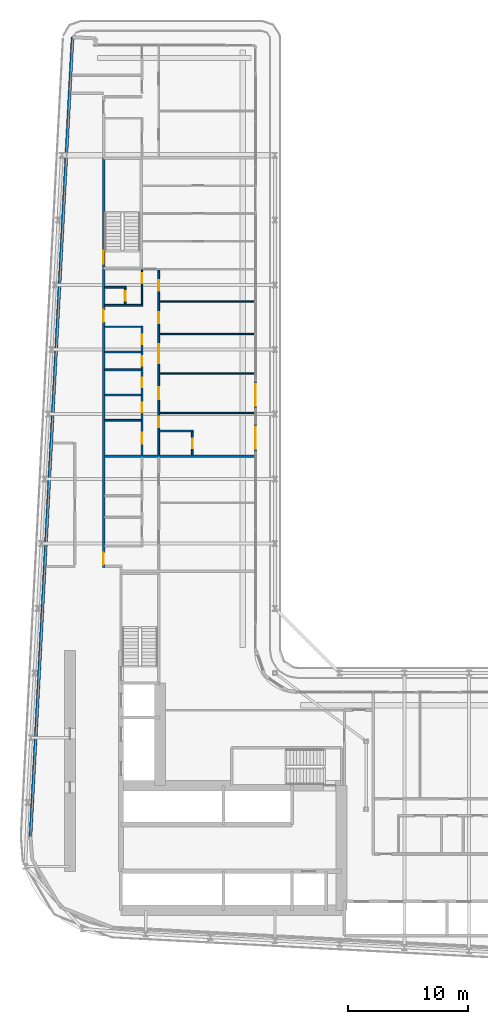
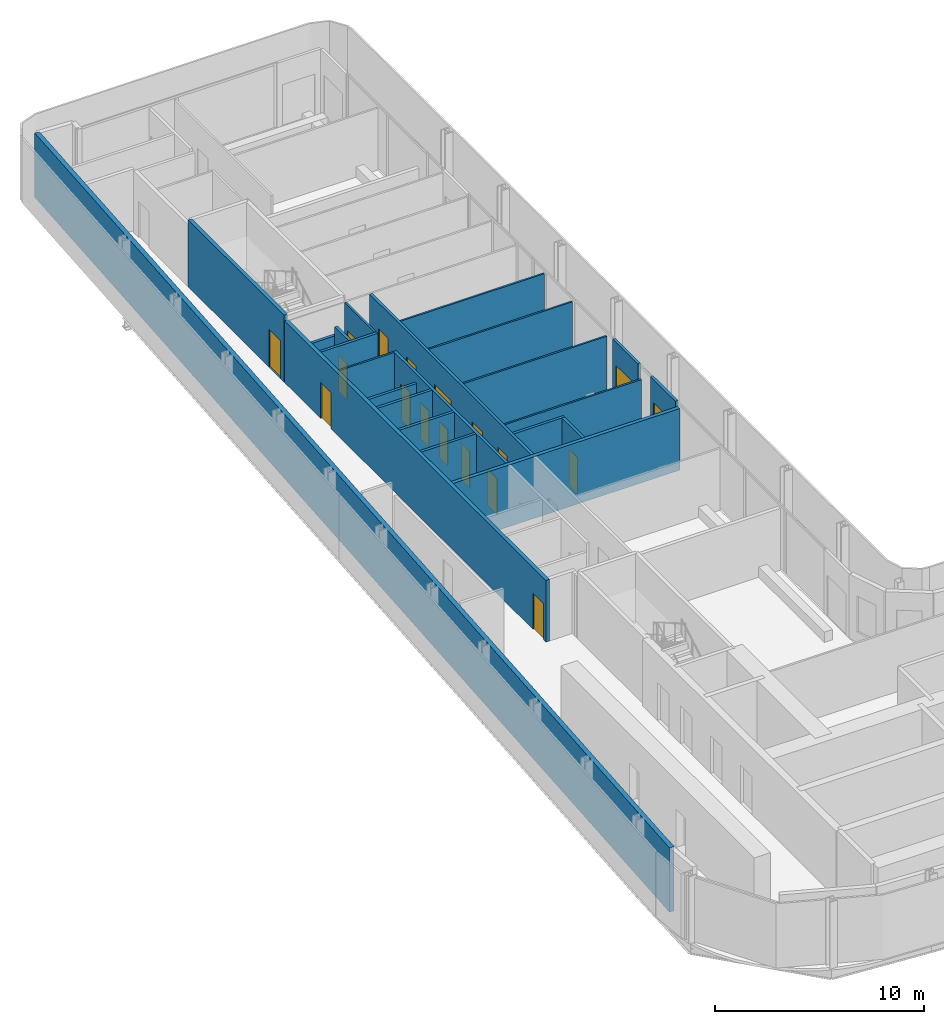
# One storey, part 17 of 28: 23 walls, 18 doors, 18 openings.
"""IFC4 building model written with IfcOpenShell, lengths in metres."""

from ifc_helpers import new_model, si_unit, direction, frame, frame_2d, origin, place, context, subcontext, project, spatial, rectangle, extrude, source, transform, mapped, material, layer, layer_set, type_object, element, fill, save


model = new_model("IFC4")

# Units and contexts
model_context = context("Model", 3, precision=1e-05, world=origin(), true_north=direction((0.0, 1.0)))
body_context = subcontext(model_context, "Body", "Model", "MODEL_VIEW")
ifc_project = project(units=[si_unit("LENGTHUNIT", "METRE"), si_unit("AREAUNIT", "SQUARE_METRE"), si_unit("VOLUMEUNIT", "CUBIC_METRE"), si_unit("PLANEANGLEUNIT", "RADIAN"), si_unit("MASSUNIT", "GRAM", prefix="KILO")], contexts=[model_context])

# Site, building, storey
site_placement = place(None, origin())
site = spatial("IfcSite", under=ifc_project, at=site_placement, CompositionType="ELEMENT")
building_placement = place(site_placement, origin())
building = spatial("IfcBuilding", under=site, at=building_placement, Name="Kheshtan School and Residences Tower", CompositionType="ELEMENT")
storey_placement = place(building_placement, frame((0.0, 0.0, 125.300048828125)))
storey = spatial("IfcBuildingStorey", under=building, at=storey_placement, Name="L29", CompositionType="ELEMENT", Elevation=125.300048828125)

# Wall, openings, doors
ifc_material_1 = material(Name="Gypsum board on steel studs with fire boards", Category="steel")
ifc_layer_1 = layer(ifc_material_1, 0.199951171875)
ifc_layer_set_1 = layer_set([ifc_layer_1], Name="Corridor wall 200")
wall_type_1 = type_object("IfcWallType", Name="Corridor wall 200", PredefinedType="PARTITIONING", material=ifc_layer_set_1)
wall_1_placement = place(storey_placement, frame((33.300048828125, 54.39990234375, 0.0), z_axis=(0.0, 0.0, 1.0), x_axis=(0.0, 1.0, 0.0)))
wall_1 = element("IfcWall", 1, at=wall_1_placement, inside=storey, type_object=wall_type_1, Name="Partition L29-003", PredefinedType="PARTITIONING", context=body_context, shape_type="SweptSolid", body=[
    extrude(rectangle(XDim=24.9501953125, YDim=0.199951171875, at=frame_2d((12.47509765625, 0.0))), origin(), (0.0, 0.0, 1.0), 3.599853515625),
])
opening_1_placement = place(wall_1_placement, frame((0.25, 0.0, 0.0)))
opening_1 = element("IfcOpeningElement", 2, at=opening_1_placement, cuts=wall_1, Name="Opening D29-035", PredefinedType="OPENING", context=body_context, shape_type="SweptSolid", body=[
    extrude(rectangle(XDim=1.0, YDim=2.10009765625, at=frame_2d((0.5, 1.050048828125))), frame((0.0, 0.10986328125, 0.0), z_axis=(0.0, -1.0, 0.0), x_axis=(1.0, 0.0, 0.0)), (0.0, 0.0, 1.0), 0.219970703125),
])
opening_2_placement = place(wall_1_placement, frame((20.5, 0.0, 0.0)))
opening_2 = element("IfcOpeningElement", 3, at=opening_2_placement, cuts=wall_1, Name="Opening D29-045", PredefinedType="OPENING", context=body_context, shape_type="SweptSolid", body=[
    extrude(rectangle(XDim=1.0, YDim=2.10009765625, at=frame_2d((0.5, 1.050048828125))), frame((0.0, 0.10986328125, 0.0), z_axis=(0.0, -1.0, 0.0), x_axis=(1.0, 0.0, 0.0)), (0.0, 0.0, 1.0), 0.219970703125),
])
ifc_material_2 = material(Name="Steel-framed fire-resisting door leaf", Category="steel")
door_type_1 = type_object("IfcDoorType", Name="Fire door FD30S 1000 x 2100", OperationType="SINGLE_SWING_LEFT", PredefinedType="DOOR", material=ifc_material_2)
shared_shape_1 = source(origin(), body_context, "Body", "SweptSolid", [
    extrude(rectangle(XDim=1.0, YDim=2.10009765625, at=frame_2d((0.5, 1.050048828125))), frame((0.0, 0.02490234375, 0.0), z_axis=(0.0, -1.0, 0.0), x_axis=(1.0, 0.0, 0.0)), (0.0, 0.0, 1.0), 0.050048828125),
])
door_1_placement = place(opening_1_placement, origin())
door_1 = element("IfcDoor", 4, at=door_1_placement, inside=storey, type_object=door_type_1, Name="Door D29-035", OperationType="SINGLE_SWING_RIGHT", OverallHeight=2.10009765625, OverallWidth=1.0, PredefinedType="DOOR", context=body_context, shape_type="MappedRepresentation", body=[
    mapped(shared_shape_1, transform((0.0, 0.0, 0.0), x_axis=(1.0, 0.0, 0.0), y_axis=(0.0, 1.0, 0.0), z_axis=(0.0, 0.0, 1.0), scale=1.0)),
])
fill(opening_1, door_1)
door_2_placement = place(opening_2_placement, origin())
door_2 = element("IfcDoor", 5, at=door_2_placement, inside=storey, type_object=door_type_1, Name="Door D29-045", OperationType="SINGLE_SWING_RIGHT", OverallHeight=2.10009765625, OverallWidth=1.0, PredefinedType="DOOR", context=body_context, shape_type="MappedRepresentation", body=[
    mapped(shared_shape_1, transform((0.0, 0.0, 0.0), x_axis=(1.0, 0.0, 0.0), y_axis=(0.0, 1.0, 0.0), z_axis=(0.0, 0.0, 1.0), scale=1.0)),
])
fill(opening_2, door_2)

# Wall
ifc_material_3 = material(Name="Concrete C40/50 with ceramic cladding and mineral wool insulation", Category="concrete")
ifc_layer_2 = layer(ifc_material_3, 0.25)
ifc_layer_set_2 = layer_set([ifc_layer_2], Name="External wall 250 ceramic clad")
wall_type_2 = type_object("IfcWallType", Name="External wall 250 ceramic clad", PredefinedType="SOLIDWALL", material=ifc_layer_set_2)
wall_2_placement = place(storey_placement, frame((27.195068359375, 31.968994140625, 0.0), z_axis=(0.0, 0.0, 1.0), x_axis=(0.052554995867, 0.998618031286, 0.0)))
element("IfcWall", 6, at=wall_2_placement, inside=storey, type_object=wall_type_2, Name="External wall L29 4", PredefinedType="SOLIDWALL", context=body_context, shape_type="SweptSolid", body=[
    extrude(rectangle(XDim=66.787353515625, YDim=0.25, at=frame_2d((33.3935546875, 0.0))), origin(), (0.0, 0.0, 1.0), 3.75),
])

# Wall, opening, door
ifc_material_4 = material(Name="Aluminium frame wall with insulated infill", Category="aluminium")
ifc_layer_3 = layer(ifc_material_4, 0.14990234375)
ifc_layer_set_3 = layer_set([ifc_layer_3], Name="Glazing frame wall 150")
wall_type_3 = type_object("IfcWallType", Name="Glazing frame wall 150", PredefinedType="SOLIDWALL", material=ifc_layer_set_3)
wall_3_placement = place(storey_placement, frame((45.97509765625, 70.01806640625, 0.0), z_axis=(0.0, 0.0, 1.0), x_axis=(0.0, -1.0, 0.0)))
wall_3 = element("IfcWall", 7, at=wall_3_placement, inside=storey, type_object=wall_type_3, Name="Balcony door wall L29 8.3", PredefinedType="SOLIDWALL", context=body_context, shape_type="SweptSolid", body=[
    extrude(rectangle(XDim=2.400146484375, YDim=0.14990234375, at=frame_2d((1.2001953125, 0.0))), origin(), (0.0, 0.0, 1.0), 3.75),
])
opening_3_placement = place(wall_3_placement, frame((0.300048828125, 0.0, 0.0)))
opening_3 = element("IfcOpeningElement", 8, at=opening_3_placement, cuts=wall_3, Name="Opening BD", PredefinedType="OPENING", context=body_context, shape_type="SweptSolid", body=[
    extrude(rectangle(XDim=1.800048828125, YDim=2.39990234375, at=frame_2d((0.89990234375, 1.199951171875))), frame((0.0, 0.0849609375, 0.0), z_axis=(0.0, -1.0, 0.0), x_axis=(1.0, 0.0, 0.0)), (0.0, 0.0, 1.0), 0.169921875),
])
ifc_material_5 = material(Name="Clear low-e glass in thermally broken aluminium frame", Category="aluminium")
door_type_2 = type_object("IfcDoorType", Name="Balcony sliding door", OperationType="SLIDING_TO_LEFT", PredefinedType="DOOR", material=ifc_material_5)
shared_shape_2 = source(origin(), body_context, "Body", "SweptSolid", [
    extrude(rectangle(XDim=1.800048828125, YDim=2.39990234375, at=frame_2d((0.89990234375, 1.199951171875))), frame((0.0, 0.02490234375, 0.0), z_axis=(0.0, -1.0, 0.0), x_axis=(1.0, 0.0, 0.0)), (0.0, 0.0, 1.0), 0.050048828125),
])
door_3_placement = place(opening_3_placement, origin())
door_3 = element("IfcDoor", 9, at=door_3_placement, inside=storey, type_object=door_type_2, Name="Balcony door L29 8.3", OperationType="SLIDING_TO_LEFT", OverallHeight=2.39990234375, OverallWidth=1.800048828125, PredefinedType="DOOR", context=body_context, shape_type="MappedRepresentation", body=[
    mapped(shared_shape_2, transform((0.0, 0.0, 0.0), x_axis=(1.0, 0.0, 0.0), y_axis=(0.0, 1.0, 0.0), z_axis=(0.0, 0.0, 1.0), scale=1.0)),
])
fill(opening_3, door_3)

wall_4_placement = place(storey_placement, frame((45.97509765625, 66.41796875, 0.0), z_axis=(0.0, 0.0, 1.0), x_axis=(0.0, -1.0, 0.0)))
wall_4 = element("IfcWall", 10, at=wall_4_placement, inside=storey, type_object=wall_type_3, Name="Balcony door wall L29 8.4", PredefinedType="SOLIDWALL", context=body_context, shape_type="SweptSolid", body=[
    extrude(rectangle(XDim=2.39990234375, YDim=0.14990234375, at=frame_2d((1.199951171875, 0.0))), origin(), (0.0, 0.0, 1.0), 3.75),
])
opening_4_placement = place(wall_4_placement, frame((0.300048828125, 0.0, 0.0)))
opening_4 = element("IfcOpeningElement", 11, at=opening_4_placement, cuts=wall_4, Name="Opening BD", PredefinedType="OPENING", context=body_context, shape_type="SweptSolid", body=[
    extrude(rectangle(XDim=1.800048828125, YDim=2.39990234375, at=frame_2d((0.89990234375, 1.199951171875))), frame((0.0, 0.0849609375, 0.0), z_axis=(0.0, -1.0, 0.0), x_axis=(1.0, 0.0, 0.0)), (0.0, 0.0, 1.0), 0.169921875),
])
door_4_placement = place(opening_4_placement, origin())
door_4 = element("IfcDoor", 12, at=door_4_placement, inside=storey, type_object=door_type_2, Name="Balcony door L29 8.4", OperationType="SLIDING_TO_LEFT", OverallHeight=2.39990234375, OverallWidth=1.800048828125, PredefinedType="DOOR", context=body_context, shape_type="MappedRepresentation", body=[
    mapped(shared_shape_2, transform((0.0, 0.0, 0.0), x_axis=(1.0, 0.0, 0.0), y_axis=(0.0, 1.0, 0.0), z_axis=(0.0, 0.0, 1.0), scale=1.0)),
])
fill(opening_4, door_4)

# Wall
ifc_material_6 = material(Name="Gypsum board on steel studs", Category="steel")
ifc_layer_4 = layer(ifc_material_6, 0.10009765625)
ifc_layer_set_4 = layer_set([ifc_layer_4], Name="Gypsum partition 100")
wall_type_4 = type_object("IfcWallType", Name="Gypsum partition 100", PredefinedType="PARTITIONING", material=ifc_layer_set_4)
wall_5_placement = place(storey_placement, frame((33.39990234375, 74.5, 0.0), z_axis=(0.0, 0.0, 1.0), x_axis=(1.0, 0.0, 0.0)))
element("IfcWall", 13, at=wall_5_placement, inside=storey, type_object=wall_type_4, Name="Partition L29-014", PredefinedType="PARTITIONING", context=body_context, shape_type="SweptSolid", body=[
    extrude(rectangle(XDim=3.025146484375, YDim=0.10009765625, at=frame_2d((1.5126953125, 0.0))), origin(), (0.0, 0.0, 1.0), 3.599853515625),
])

# Wall, opening, door
wall_6_placement = place(storey_placement, frame((36.5, 76.375, 0.0), z_axis=(0.0, 0.0, 1.0), x_axis=(0.0, 1.0, 0.0)))
wall_6 = element("IfcWall", 14, at=wall_6_placement, inside=storey, type_object=wall_type_4, Name="Partition L29-026", PredefinedType="PARTITIONING", context=body_context, shape_type="SweptSolid", body=[
    extrude(rectangle(XDim=2.875, YDim=0.10009765625, at=frame_2d((1.4375, 0.0))), origin(), (0.0, 0.0, 1.0), 3.599853515625),
])
opening_5_placement = place(wall_6_placement, frame((1.77490234375, 0.0, 0.0)))
opening_5 = element("IfcOpeningElement", 15, at=opening_5_placement, cuts=wall_6, Name="Opening D29-048", PredefinedType="OPENING", context=body_context, shape_type="SweptSolid", body=[
    extrude(rectangle(XDim=0.800048828125, YDim=2.10009765625, at=frame_2d((0.39990234375, 1.050048828125))), frame((0.0, 0.06005859375, 0.0), z_axis=(0.0, -1.0, 0.0), x_axis=(1.0, 0.0, 0.0)), (0.0, 0.0, 1.0), 0.1201171875),
])
ifc_material_7 = material(Name="Veneered timber door leaf", Category="wood")
door_type_3 = type_object("IfcDoorType", Name="Door 800 x 2100", OperationType="SINGLE_SWING_LEFT", PredefinedType="DOOR", material=ifc_material_7)
shared_shape_3 = source(origin(), body_context, "Body", "SweptSolid", [
    extrude(rectangle(XDim=0.800048828125, YDim=2.10009765625, at=frame_2d((0.39990234375, 1.050048828125))), frame((0.0, 0.02490234375, 0.0), z_axis=(0.0, -1.0, 0.0), x_axis=(1.0, 0.0, 0.0)), (0.0, 0.0, 1.0), 0.050048828125),
])
door_5_placement = place(opening_5_placement, origin())
door_5 = element("IfcDoor", 16, at=door_5_placement, inside=storey, type_object=door_type_3, Name="Door D29-048", OperationType="SINGLE_SWING_RIGHT", OverallHeight=2.10009765625, OverallWidth=0.800048828125, PredefinedType="DOOR", context=body_context, shape_type="MappedRepresentation", body=[
    mapped(shared_shape_3, transform((0.0, 0.0, 0.0), x_axis=(1.0, 0.0, 0.0), y_axis=(0.0, 1.0, 0.0), z_axis=(0.0, 0.0, 1.0), scale=1.0)),
])
fill(opening_5, door_5)

# Walls
wall_7_placement = place(storey_placement, frame((37.97509765625, 67.300048828125, 0.0), z_axis=(0.0, 0.0, 1.0), x_axis=(1.0, 0.0, 0.0)))
element("IfcWall", 17, at=wall_7_placement, inside=storey, type_object=wall_type_4, Name="Partition L29-038", PredefinedType="PARTITIONING", context=body_context, shape_type="SweptSolid", body=[
    extrude(rectangle(XDim=7.9248046875, YDim=0.10009765625, at=frame_2d((3.96240234375, 0.0))), origin(), (0.0, 0.0, 1.0), 3.072021484375),
])
for number, where, z_axis, x_axis, name in (
    (18, (37.97509765625, 70.60009765625, 0.0), (0.0, 0.0, 1.0), (1.0, 0.0, 0.0), "Partition L29-039"),
    (19, (37.97509765625, 73.89990234375, 0.0), (0.0, 0.0, 1.0), (1.0, 0.0, 0.0), "Partition L29-040"),
    (20, (37.97509765625, 76.60009765625, 0.0), (0.0, 0.0, 1.0), (1.0, 0.0, 0.0), "Partition L29-041"),
):
    element("IfcWall", number, at=place(storey_placement, frame(where, z_axis=z_axis, x_axis=x_axis)), inside=storey, type_object=wall_type_4, Name=name, PredefinedType="PARTITIONING", context=body_context, shape_type="SweptSolid", body=[
        extrude(rectangle(XDim=7.9248046875, YDim=0.10009765625, at=frame_2d((3.96240234375, 0.0))), origin(), (0.0, 0.0, 1.0), 3.599853515625),
    ])

# Wall, opening, door
ifc_material_8 = material(Name="Concrete C40/50", Category="concrete")
ifc_layer_5 = layer(ifc_material_8, 0.199951171875)
ifc_layer_set_5 = layer_set([ifc_layer_5], Name="Stair enclosure wall 200 Concrete C40/50")
wall_type_5 = type_object("IfcWallType", Name="Stair enclosure wall 200 Concrete C40/50", PredefinedType="SHEAR", material=ifc_layer_set_5)
wall_8_placement = place(storey_placement, frame((33.300048828125, 79.39990234375, 0.0), z_axis=(0.0, 0.0, 1.0), x_axis=(0.0, 1.0, 0.0)))
wall_8 = element("IfcWall", 21, at=wall_8_placement, inside=storey, type_object=wall_type_5, Name="Stair enclosure wall ST3", PredefinedType="SHEAR", context=body_context, shape_type="SweptSolid", body=[
    extrude(rectangle(XDim=9.16015625, YDim=0.199951171875, at=frame_2d((4.580078125, 0.0))), origin(), (0.0, 0.0, 1.0), 3.89990234375),
])
opening_6_placement = place(wall_8_placement, frame((0.35009765625, 0.0, 0.0)))
opening_6 = element("IfcOpeningElement", 22, at=opening_6_placement, cuts=wall_8, Name="Opening ST3D", PredefinedType="OPENING", context=body_context, shape_type="SweptSolid", body=[
    extrude(rectangle(XDim=1.10009765625, YDim=2.199951171875, at=frame_2d((0.550048828125, 1.10009765625))), frame((0.0, 0.10986328125, 0.0), z_axis=(0.0, -1.0, 0.0), x_axis=(1.0, 0.0, 0.0)), (0.0, 0.0, 1.0), 0.219970703125),
])
ifc_material_9 = material(Name="Steel door leaf, galvanised", Category="steel")
door_type_4 = type_object("IfcDoorType", Name="Stair door 1100 steel 90 min", OperationType="SINGLE_SWING_LEFT", PredefinedType="DOOR", material=ifc_material_9)
shared_shape_4 = source(origin(), body_context, "Body", "SweptSolid", [
    extrude(rectangle(XDim=1.10009765625, YDim=2.199951171875, at=frame_2d((0.550048828125, 1.10009765625))), frame((0.0, 0.02490234375, 0.0), z_axis=(0.0, -1.0, 0.0), x_axis=(1.0, 0.0, 0.0)), (0.0, 0.0, 1.0), 0.050048828125),
])
door_6_placement = place(opening_6_placement, origin())
door_6 = element("IfcDoor", 23, at=door_6_placement, inside=storey, type_object=door_type_4, Name="Stair ST3 door", OperationType="SINGLE_SWING_RIGHT", OverallHeight=2.199951171875, OverallWidth=1.10009765625, PredefinedType="DOOR", context=body_context, shape_type="MappedRepresentation", body=[
    mapped(shared_shape_4, transform((0.0, 0.0, 0.0), x_axis=(1.0, 0.0, 0.0), y_axis=(0.0, 1.0, 0.0), z_axis=(0.0, 0.0, 1.0), scale=1.0)),
])
fill(opening_6, door_6)

# Walls
ifc_material_10 = material(Name="Twin gypsum board on steel studs with mineral wool", Category="steel")
ifc_layer_6 = layer(ifc_material_10, 0.199951171875)
ifc_layer_set_6 = layer_set([ifc_layer_6], Name="Unit demising wall 200")
wall_type_6 = type_object("IfcWallType", Name="Unit demising wall 200", PredefinedType="PARTITIONING", material=ifc_layer_set_6)
wall_9_placement = place(storey_placement, frame((33.39990234375, 63.699951171875, 0.0), z_axis=(0.0, 0.0, 1.0), x_axis=(1.0, 0.0, 0.0)))
element("IfcWall", 24, at=wall_9_placement, inside=storey, type_object=wall_type_6, Name="Partition L29-009", PredefinedType="PARTITIONING", context=body_context, shape_type="SweptSolid", body=[
    extrude(rectangle(XDim=12.5, YDim=0.199951171875, at=frame_2d((6.25, 0.0))), origin(), (0.0, 0.0, 1.0), 3.599853515625),
])
ifc_material_11 = material(Name="Moisture-resistant gypsum board on steel studs", Category="steel")
ifc_layer_7 = layer(ifc_material_11, 0.14990234375)
ifc_layer_set_7 = layer_set([ifc_layer_7], Name="Wet-room partition 150")
wall_type_7 = type_object("IfcWallType", Name="Wet-room partition 150", PredefinedType="PARTITIONING", material=ifc_layer_set_7)
for number, where, z_axis, x_axis, name in (
    (25, (33.39990234375, 66.699951171875, 0.0), (0.0, 0.0, 1.0), (1.0, 0.0, 0.0), "Partition L29-010"),
    (26, (33.39990234375, 68.800048828125, 0.0), (0.0, 0.0, 1.0), (1.0, 0.0, 0.0), "Partition L29-011"),
    (27, (33.39990234375, 70.89990234375, 0.0), (0.0, 0.0, 1.0), (1.0, 0.0, 0.0), "Partition L29-012"),
):
    element("IfcWall", number, at=place(storey_placement, frame(where, z_axis=z_axis, x_axis=x_axis)), inside=storey, type_object=wall_type_7, Name=name, PredefinedType="PARTITIONING", context=body_context, shape_type="SweptSolid", body=[
        extrude(rectangle(XDim=3.025146484375, YDim=0.14990234375, at=frame_2d((1.5126953125, 0.0))), origin(), (0.0, 0.0, 1.0), 3.599853515625),
    ])
wall_10_placement = place(storey_placement, frame((33.39990234375, 72.39990234375, 0.0), z_axis=(0.0, 0.0, 1.0), x_axis=(1.0, 0.0, 0.0)))
element("IfcWall", 28, at=wall_10_placement, inside=storey, type_object=wall_type_7, Name="Partition L29-013", PredefinedType="PARTITIONING", context=body_context, shape_type="SweptSolid", body=[
    extrude(rectangle(XDim=3.025146484375, YDim=0.14990234375, at=frame_2d((1.5126953125, 0.0))), origin(), (0.0, 0.0, 1.0), 3.072021484375),
])
wall_11_placement = place(storey_placement, frame((33.39990234375, 76.300048828125, 0.0), z_axis=(0.0, 0.0, 1.0), x_axis=(1.0, 0.0, 0.0)))
element("IfcWall", 29, at=wall_11_placement, inside=storey, type_object=wall_type_7, Name="Partition L29-015", PredefinedType="PARTITIONING", context=body_context, shape_type="SweptSolid", body=[
    extrude(rectangle(XDim=3.150146484375, YDim=0.14990234375, at=frame_2d((1.5751953125, 0.0))), origin(), (0.0, 0.0, 1.0), 3.599853515625),
])
wall_12_placement = place(storey_placement, frame((33.39990234375, 77.800048828125, 0.0), z_axis=(0.0, 0.0, 1.0), x_axis=(1.0, 0.0, 0.0)))
element("IfcWall", 30, at=wall_12_placement, inside=storey, type_object=wall_type_7, Name="Partition L29-016", PredefinedType="PARTITIONING", context=body_context, shape_type="SweptSolid", body=[
    extrude(rectangle(XDim=1.775146484375, YDim=0.14990234375, at=frame_2d((0.8876953125, 0.0))), origin(), (0.0, 0.0, 1.0), 3.072021484375),
])

# Wall, opening, door
wall_13_placement = place(storey_placement, frame((35.10009765625, 76.375, 0.0), z_axis=(0.0, 0.0, 1.0), x_axis=(0.0, 1.0, 0.0)))
wall_13 = element("IfcWall", 31, at=wall_13_placement, inside=storey, type_object=wall_type_7, Name="Partition L29-022", PredefinedType="PARTITIONING", context=body_context, shape_type="SweptSolid", body=[
    extrude(rectangle(XDim=1.35009765625, YDim=0.14990234375, at=frame_2d((0.675048828125, 0.0))), origin(), (0.0, 0.0, 1.0), 3.599853515625),
])
opening_7_placement = place(wall_13_placement, frame((0.27490234375, 0.0, 0.0)))
opening_7 = element("IfcOpeningElement", 32, at=opening_7_placement, cuts=wall_13, Name="Opening D29-049", PredefinedType="OPENING", context=body_context, shape_type="SweptSolid", body=[
    extrude(rectangle(XDim=0.800048828125, YDim=2.10009765625, at=frame_2d((0.39990234375, 1.050048828125))), frame((0.0, 0.0849609375, 0.0), z_axis=(0.0, -1.0, 0.0), x_axis=(1.0, 0.0, 0.0)), (0.0, 0.0, 1.0), 0.169921875),
])
door_7_placement = place(opening_7_placement, origin())
door_7 = element("IfcDoor", 33, at=door_7_placement, inside=storey, type_object=door_type_3, Name="Door D29-049", OperationType="SINGLE_SWING_LEFT", OverallHeight=2.10009765625, OverallWidth=0.800048828125, PredefinedType="DOOR", context=body_context, shape_type="MappedRepresentation", body=[
    mapped(shared_shape_3, transform((0.0, 0.0, 0.0), x_axis=(1.0, 0.0, 0.0), y_axis=(0.0, 1.0, 0.0), z_axis=(0.0, 0.0, 1.0), scale=1.0)),
])
fill(opening_7, door_7)

# Wall, openings, doors
wall_14_placement = place(storey_placement, frame((36.5, 63.800048828125, 0.0), z_axis=(0.0, 0.0, 1.0), x_axis=(0.0, 1.0, 0.0)))
wall_14 = element("IfcWall", 34, at=wall_14_placement, inside=storey, type_object=wall_type_7, Name="Partition L29-025", PredefinedType="PARTITIONING", context=body_context, shape_type="SweptSolid", body=[
    extrude(rectangle(XDim=10.75, YDim=0.14990234375, at=frame_2d((5.375, 0.0))), origin(), (0.0, 0.0, 1.0), 3.599853515625),
])
opening_8_placement = place(wall_14_placement, frame((3.550048828125, 0.0, 0.0)))
opening_8 = element("IfcOpeningElement", 35, at=opening_8_placement, cuts=wall_14, Name="Opening D29-039", PredefinedType="OPENING", context=body_context, shape_type="SweptSolid", body=[
    extrude(rectangle(XDim=0.800048828125, YDim=2.10009765625, at=frame_2d((0.39990234375, 1.050048828125))), frame((0.0, 0.0849609375, 0.0), z_axis=(0.0, -1.0, 0.0), x_axis=(1.0, 0.0, 0.0)), (0.0, 0.0, 1.0), 0.169921875),
])
opening_9_placement = place(wall_14_placement, frame((5.64990234375, 0.0, 0.0)))
opening_9 = element("IfcOpeningElement", 36, at=opening_9_placement, cuts=wall_14, Name="Opening D29-040", PredefinedType="OPENING", context=body_context, shape_type="SweptSolid", body=[
    extrude(rectangle(XDim=0.800048828125, YDim=2.10009765625, at=frame_2d((0.39990234375, 1.050048828125))), frame((0.0, 0.0849609375, 0.0), z_axis=(0.0, -1.0, 0.0), x_axis=(1.0, 0.0, 0.0)), (0.0, 0.0, 1.0), 0.169921875),
])
opening_10_placement = place(wall_14_placement, frame((9.25, 0.0, 0.0)))
opening_10 = element("IfcOpeningElement", 37, at=opening_10_placement, cuts=wall_14, Name="Opening D29-043", PredefinedType="OPENING", context=body_context, shape_type="SweptSolid", body=[
    extrude(rectangle(XDim=0.800048828125, YDim=2.10009765625, at=frame_2d((0.39990234375, 1.050048828125))), frame((0.0, 0.0849609375, 0.0), z_axis=(0.0, -1.0, 0.0), x_axis=(1.0, 0.0, 0.0)), (0.0, 0.0, 1.0), 0.169921875),
])
opening_11_placement = place(wall_14_placement, frame((0.949951171875, 0.0, 0.0)))
opening_11 = element("IfcOpeningElement", 38, at=opening_11_placement, cuts=wall_14, Name="Opening D29-046", PredefinedType="OPENING", context=body_context, shape_type="SweptSolid", body=[
    extrude(rectangle(XDim=0.89990234375, YDim=2.10009765625, at=frame_2d((0.449951171875, 1.050048828125))), frame((0.0, 0.0849609375, 0.0), z_axis=(0.0, -1.0, 0.0), x_axis=(1.0, 0.0, 0.0)), (0.0, 0.0, 1.0), 0.169921875),
])
opening_12_placement = place(wall_14_placement, frame((7.449951171875, 0.0, 0.0)))
opening_12 = element("IfcOpeningElement", 39, at=opening_12_placement, cuts=wall_14, Name="Opening D29-052", PredefinedType="OPENING", context=body_context, shape_type="SweptSolid", body=[
    extrude(rectangle(XDim=0.800048828125, YDim=2.10009765625, at=frame_2d((0.39990234375, 1.050048828125))), frame((0.0, 0.0849609375, 0.0), z_axis=(0.0, -1.0, 0.0), x_axis=(1.0, 0.0, 0.0)), (0.0, 0.0, 1.0), 0.169921875),
])
door_8_placement = place(opening_8_placement, origin())
door_8 = element("IfcDoor", 40, at=door_8_placement, inside=storey, type_object=door_type_3, Name="Door D29-039", OperationType="SINGLE_SWING_RIGHT", OverallHeight=2.10009765625, OverallWidth=0.800048828125, PredefinedType="DOOR", context=body_context, shape_type="MappedRepresentation", body=[
    mapped(shared_shape_3, transform((0.0, 0.0, 0.0), x_axis=(1.0, 0.0, 0.0), y_axis=(0.0, 1.0, 0.0), z_axis=(0.0, 0.0, 1.0), scale=1.0)),
])
fill(opening_8, door_8)
door_9_placement = place(opening_9_placement, origin())
door_9 = element("IfcDoor", 41, at=door_9_placement, inside=storey, type_object=door_type_3, Name="Door D29-040", OperationType="SINGLE_SWING_RIGHT", OverallHeight=2.10009765625, OverallWidth=0.800048828125, PredefinedType="DOOR", context=body_context, shape_type="MappedRepresentation", body=[
    mapped(shared_shape_3, transform((0.0, 0.0, 0.0), x_axis=(1.0, 0.0, 0.0), y_axis=(0.0, 1.0, 0.0), z_axis=(0.0, 0.0, 1.0), scale=1.0)),
])
fill(opening_9, door_9)
door_10_placement = place(opening_10_placement, origin())
door_10 = element("IfcDoor", 42, at=door_10_placement, inside=storey, type_object=door_type_3, Name="Door D29-043", OperationType="SINGLE_SWING_RIGHT", OverallHeight=2.10009765625, OverallWidth=0.800048828125, PredefinedType="DOOR", context=body_context, shape_type="MappedRepresentation", body=[
    mapped(shared_shape_3, transform((0.0, 0.0, 0.0), x_axis=(1.0, 0.0, 0.0), y_axis=(0.0, 1.0, 0.0), z_axis=(0.0, 0.0, 1.0), scale=1.0)),
])
fill(opening_10, door_10)
door_11_placement = place(opening_12_placement, origin())
door_11 = element("IfcDoor", 43, at=door_11_placement, inside=storey, type_object=door_type_3, Name="Door D29-052", OperationType="SINGLE_SWING_RIGHT", OverallHeight=2.10009765625, OverallWidth=0.800048828125, PredefinedType="DOOR", context=body_context, shape_type="MappedRepresentation", body=[
    mapped(shared_shape_3, transform((0.0, 0.0, 0.0), x_axis=(1.0, 0.0, 0.0), y_axis=(0.0, 1.0, 0.0), z_axis=(0.0, 0.0, 1.0), scale=1.0)),
])
fill(opening_12, door_11)
door_type_5 = type_object("IfcDoorType", Name="Door 900 x 2100", OperationType="SINGLE_SWING_LEFT", PredefinedType="DOOR", material=ifc_material_7)
shared_shape_5 = source(origin(), body_context, "Body", "SweptSolid", [
    extrude(rectangle(XDim=0.89990234375, YDim=2.10009765625, at=frame_2d((0.449951171875, 1.050048828125))), frame((0.0, 0.02490234375, 0.0), z_axis=(0.0, -1.0, 0.0), x_axis=(1.0, 0.0, 0.0)), (0.0, 0.0, 1.0), 0.050048828125),
])
door_12_placement = place(opening_11_placement, origin())
door_12 = element("IfcDoor", 44, at=door_12_placement, inside=storey, type_object=door_type_5, Name="Door D29-046", OperationType="SINGLE_SWING_RIGHT", OverallHeight=2.10009765625, OverallWidth=0.89990234375, PredefinedType="DOOR", context=body_context, shape_type="MappedRepresentation", body=[
    mapped(shared_shape_5, transform((0.0, 0.0, 0.0), x_axis=(1.0, 0.0, 0.0), y_axis=(0.0, 1.0, 0.0), z_axis=(0.0, 0.0, 1.0), scale=1.0)),
])
fill(opening_11, door_12)

wall_15_placement = place(storey_placement, frame((37.89990234375, 63.800048828125, 0.0), z_axis=(0.0, 0.0, 1.0), x_axis=(0.0, 1.0, 0.0)))
wall_15 = element("IfcWall", 45, at=wall_15_placement, inside=storey, type_object=wall_type_7, Name="Partition L29-033", PredefinedType="PARTITIONING", context=body_context, shape_type="SweptSolid", body=[
    extrude(rectangle(XDim=15.449951171875, YDim=0.14990234375, at=frame_2d((7.72509765625, 0.0))), origin(), (0.0, 0.0, 1.0), 3.599853515625),
])
opening_13_placement = place(wall_15_placement, frame((11.0, 0.0, 0.0)))
opening_13 = element("IfcOpeningElement", 46, at=opening_13_placement, cuts=wall_15, Name="Opening D29-041", PredefinedType="OPENING", context=body_context, shape_type="SweptSolid", body=[
    extrude(rectangle(XDim=0.89990234375, YDim=2.10009765625, at=frame_2d((0.449951171875, 1.050048828125))), frame((0.0, 0.0849609375, 0.0), z_axis=(0.0, -1.0, 0.0), x_axis=(1.0, 0.0, 0.0)), (0.0, 0.0, 1.0), 0.169921875),
])
opening_14_placement = place(wall_15_placement, frame((13.699951171875, 0.0, 0.0)))
opening_14 = element("IfcOpeningElement", 47, at=opening_14_placement, cuts=wall_15, Name="Opening D29-042", PredefinedType="OPENING", context=body_context, shape_type="SweptSolid", body=[
    extrude(rectangle(XDim=0.89990234375, YDim=2.10009765625, at=frame_2d((0.449951171875, 1.050048828125))), frame((0.0, 0.0849609375, 0.0), z_axis=(0.0, -1.0, 0.0), x_axis=(1.0, 0.0, 0.0)), (0.0, 0.0, 1.0), 0.169921875),
])
opening_15_placement = place(wall_15_placement, frame((4.64990234375, 0.0, 0.0)))
opening_15 = element("IfcOpeningElement", 48, at=opening_15_placement, cuts=wall_15, Name="Opening D29-047", PredefinedType="OPENING", context=body_context, shape_type="SweptSolid", body=[
    extrude(rectangle(XDim=1.0, YDim=2.10009765625, at=frame_2d((0.5, 1.050048828125))), frame((0.0, 0.0849609375, 0.0), z_axis=(0.0, -1.0, 0.0), x_axis=(1.0, 0.0, 0.0)), (0.0, 0.0, 1.0), 0.169921875),
])
opening_16_placement = place(wall_15_placement, frame((7.64990234375, 0.0, 0.0)))
opening_16 = element("IfcOpeningElement", 49, at=opening_16_placement, cuts=wall_15, Name="Opening D29-050", PredefinedType="OPENING", context=body_context, shape_type="SweptSolid", body=[
    extrude(rectangle(XDim=1.60009765625, YDim=2.10009765625, at=frame_2d((0.800048828125, 1.050048828125))), frame((0.0, 0.0849609375, 0.0), z_axis=(0.0, -1.0, 0.0), x_axis=(1.0, 0.0, 0.0)), (0.0, 0.0, 1.0), 0.169921875),
])
opening_17_placement = place(wall_15_placement, frame((2.300048828125, 0.0, 0.0)))
opening_17 = element("IfcOpeningElement", 50, at=opening_17_placement, cuts=wall_15, Name="Opening D29-051", PredefinedType="OPENING", context=body_context, shape_type="SweptSolid", body=[
    extrude(rectangle(XDim=0.89990234375, YDim=2.10009765625, at=frame_2d((0.449951171875, 1.050048828125))), frame((0.0, 0.0849609375, 0.0), z_axis=(0.0, -1.0, 0.0), x_axis=(1.0, 0.0, 0.0)), (0.0, 0.0, 1.0), 0.169921875),
])
door_type_6 = type_object("IfcDoorType", Name="Door 1000 x 2100", OperationType="SINGLE_SWING_LEFT", PredefinedType="DOOR", material=ifc_material_7)
shared_shape_6 = source(origin(), body_context, "Body", "SweptSolid", [
    extrude(rectangle(XDim=1.0, YDim=2.10009765625, at=frame_2d((0.5, 1.050048828125))), frame((0.0, 0.02490234375, 0.0), z_axis=(0.0, -1.0, 0.0), x_axis=(1.0, 0.0, 0.0)), (0.0, 0.0, 1.0), 0.050048828125),
])
door_13_placement = place(opening_15_placement, origin())
door_13 = element("IfcDoor", 51, at=door_13_placement, inside=storey, type_object=door_type_6, Name="Door D29-047", OperationType="SINGLE_SWING_LEFT", OverallHeight=2.10009765625, OverallWidth=1.0, PredefinedType="DOOR", context=body_context, shape_type="MappedRepresentation", body=[
    mapped(shared_shape_6, transform((0.0, 0.0, 0.0), x_axis=(1.0, 0.0, 0.0), y_axis=(0.0, 1.0, 0.0), z_axis=(0.0, 0.0, 1.0), scale=1.0)),
])
fill(opening_15, door_13)
door_14_placement = place(opening_13_placement, origin())
door_14 = element("IfcDoor", 52, at=door_14_placement, inside=storey, type_object=door_type_5, Name="Door D29-041", OperationType="SINGLE_SWING_LEFT", OverallHeight=2.10009765625, OverallWidth=0.89990234375, PredefinedType="DOOR", context=body_context, shape_type="MappedRepresentation", body=[
    mapped(shared_shape_5, transform((0.0, 0.0, 0.0), x_axis=(1.0, 0.0, 0.0), y_axis=(0.0, 1.0, 0.0), z_axis=(0.0, 0.0, 1.0), scale=1.0)),
])
fill(opening_13, door_14)
door_15_placement = place(opening_14_placement, origin())
door_15 = element("IfcDoor", 53, at=door_15_placement, inside=storey, type_object=door_type_5, Name="Door D29-042", OperationType="SINGLE_SWING_RIGHT", OverallHeight=2.10009765625, OverallWidth=0.89990234375, PredefinedType="DOOR", context=body_context, shape_type="MappedRepresentation", body=[
    mapped(shared_shape_5, transform((0.0, 0.0, 0.0), x_axis=(1.0, 0.0, 0.0), y_axis=(0.0, 1.0, 0.0), z_axis=(0.0, 0.0, 1.0), scale=1.0)),
])
fill(opening_14, door_15)
door_16_placement = place(opening_17_placement, origin())
door_16 = element("IfcDoor", 54, at=door_16_placement, inside=storey, type_object=door_type_5, Name="Door D29-051", OperationType="SINGLE_SWING_RIGHT", OverallHeight=2.10009765625, OverallWidth=0.89990234375, PredefinedType="DOOR", context=body_context, shape_type="MappedRepresentation", body=[
    mapped(shared_shape_5, transform((0.0, 0.0, 0.0), x_axis=(1.0, 0.0, 0.0), y_axis=(0.0, 1.0, 0.0), z_axis=(0.0, 0.0, 1.0), scale=1.0)),
])
fill(opening_17, door_16)
door_type_7 = type_object("IfcDoorType", Name="Double door 1600 x 2100", OperationType="DOUBLE_DOOR_SINGLE_SWING", PredefinedType="DOOR", material=ifc_material_7)
shared_shape_7 = source(origin(), body_context, "Body", "SweptSolid", [
    extrude(rectangle(XDim=1.60009765625, YDim=2.10009765625, at=frame_2d((0.800048828125, 1.050048828125))), frame((0.0, 0.02490234375, 0.0), z_axis=(0.0, -1.0, 0.0), x_axis=(1.0, 0.0, 0.0)), (0.0, 0.0, 1.0), 0.050048828125),
])
door_17_placement = place(opening_16_placement, origin())
door_17 = element("IfcDoor", 55, at=door_17_placement, inside=storey, type_object=door_type_7, Name="Door D29-050", OperationType="DOUBLE_DOOR_SINGLE_SWING", OverallHeight=2.10009765625, OverallWidth=1.60009765625, PredefinedType="DOOR", context=body_context, shape_type="MappedRepresentation", body=[
    mapped(shared_shape_7, transform((0.0, 0.0, 0.0), x_axis=(1.0, 0.0, 0.0), y_axis=(0.0, 1.0, 0.0), z_axis=(0.0, 0.0, 1.0), scale=1.0)),
])
fill(opening_16, door_17)

# Wall
wall_16_placement = place(storey_placement, frame((37.97509765625, 65.800048828125, 0.0), z_axis=(0.0, 0.0, 1.0), x_axis=(1.0, 0.0, 0.0)))
element("IfcWall", 56, at=wall_16_placement, inside=storey, type_object=wall_type_7, Name="Partition L29-037", PredefinedType="PARTITIONING", context=body_context, shape_type="SweptSolid", body=[
    extrude(rectangle(XDim=2.7998046875, YDim=0.14990234375, at=frame_2d((1.39990234375, 0.0))), origin(), (0.0, 0.0, 1.0), 3.599853515625),
])

# Wall, opening, door
wall_17_placement = place(storey_placement, frame((40.699951171875, 63.800048828125, 0.0), z_axis=(0.0, 0.0, 1.0), x_axis=(0.0, 1.0, 0.0)))
wall_17 = element("IfcWall", 57, at=wall_17_placement, inside=storey, type_object=wall_type_7, Name="Partition L29-043", PredefinedType="PARTITIONING", context=body_context, shape_type="SweptSolid", body=[
    extrude(rectangle(XDim=1.925048828125, YDim=0.14990234375, at=frame_2d((0.96240234375, 0.0))), origin(), (0.0, 0.0, 1.0), 3.599853515625),
])
opening_18_placement = place(wall_17_placement, frame((0.550048828125, 0.0, 0.0)))
opening_18 = element("IfcOpeningElement", 58, at=opening_18_placement, cuts=wall_17, Name="Opening D29-044", PredefinedType="OPENING", context=body_context, shape_type="SweptSolid", body=[
    extrude(rectangle(XDim=0.800048828125, YDim=2.10009765625, at=frame_2d((0.39990234375, 1.050048828125))), frame((0.0, 0.0849609375, 0.0), z_axis=(0.0, -1.0, 0.0), x_axis=(1.0, 0.0, 0.0)), (0.0, 0.0, 1.0), 0.169921875),
])
door_18_placement = place(opening_18_placement, origin())
door_18 = element("IfcDoor", 59, at=door_18_placement, inside=storey, type_object=door_type_3, Name="Door D29-044", OperationType="SINGLE_SWING_RIGHT", OverallHeight=2.10009765625, OverallWidth=0.800048828125, PredefinedType="DOOR", context=body_context, shape_type="MappedRepresentation", body=[
    mapped(shared_shape_3, transform((0.0, 0.0, 0.0), x_axis=(1.0, 0.0, 0.0), y_axis=(0.0, 1.0, 0.0), z_axis=(0.0, 0.0, 1.0), scale=1.0)),
])
fill(opening_18, door_18)

save(model, "model.ifc")
